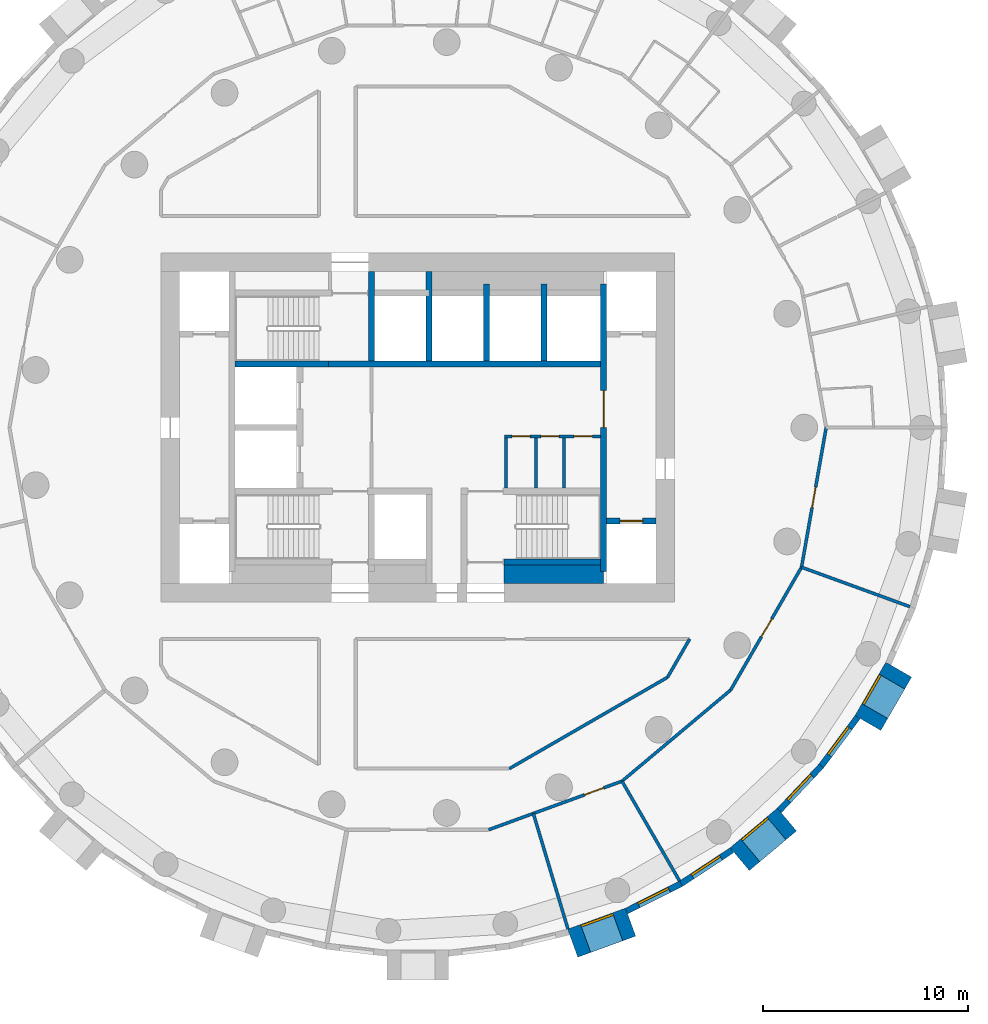
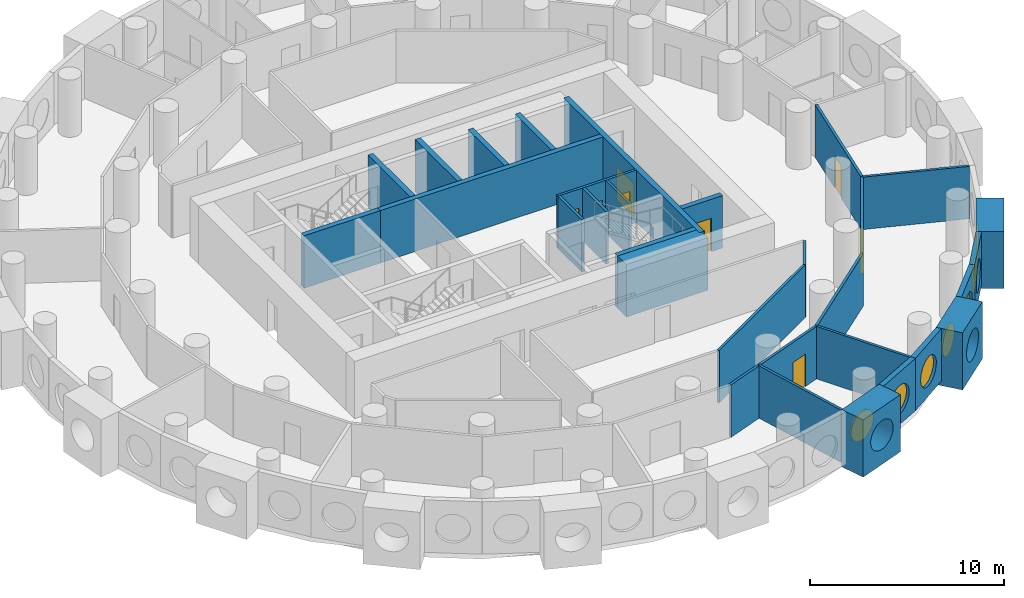
# One storey, part 4 of 9: 30 walls, 8 doors, 7 windows, 15 openings.
"""IFC4 building model written with IfcOpenShell, lengths in metres."""

from ifc_helpers import new_model, si_unit, direction, frame, frame_2d, origin, origin_2d, place, context, subcontext, project, spatial, rectangle, circle, extrude, material, layer, layer_set, type_object, element, fill, save


model = new_model("IFC4")

# Units and contexts
model_context = context("Model", 3, precision=1e-05, world=origin(), true_north=direction((0.0, 1.0)))
body_context = subcontext(model_context, "Body", "Model", "MODEL_VIEW")
ifc_project = project(units=[si_unit("LENGTHUNIT", "METRE"), si_unit("AREAUNIT", "SQUARE_METRE"), si_unit("VOLUMEUNIT", "CUBIC_METRE"), si_unit("PLANEANGLEUNIT", "RADIAN"), si_unit("MASSUNIT", "GRAM", prefix="KILO")], contexts=[model_context])

# Site, building, storey
site_placement = place(None, origin())
site = spatial("IfcSite", under=ifc_project, at=site_placement, CompositionType="ELEMENT")
building_placement = place(site_placement, origin())
building = spatial("IfcBuilding", under=site, at=building_placement, Name="Tracery Tower", CompositionType="ELEMENT")
storey_placement = place(building_placement, frame((0.0, 0.0, 165.60009765625)))
storey = spatial("IfcBuildingStorey", under=building, at=storey_placement, Name="L42", CompositionType="ELEMENT", Elevation=165.60009765625)

# Wall
ifc_material_1 = material(Name="Plasterboard on steel studs", Category="steel")
ifc_layer_1 = layer(ifc_material_1, 0.14990234375)
ifc_layer_set_1 = layer_set([ifc_layer_1], Name="Core room partition 150")
wall_type_1 = type_object("IfcWallType", Name="Core room partition 150", PredefinedType="SOLIDWALL", material=ifc_layer_set_1)
wall_1_placement = place(storey_placement, frame((4.300048828125, -2.949951171875, 0.0), z_axis=(0.0, 0.0, 1.0), x_axis=(0.0, 1.0, 0.0)))
element("IfcWall", 1, at=wall_1_placement, inside=storey, type_object=wall_type_1, Name="L42 slot W", PredefinedType="SOLIDWALL", context=body_context, shape_type="SweptSolid", body=[
    extrude(rectangle(XDim=2.449951171875, YDim=0.14990234375, at=frame_2d((1.22509765625, 0.0))), origin(), (0.0, 0.0, 1.0), 3.2998046875),
])

# Wall, openings, doors
wall_2_placement = place(storey_placement, frame((4.22509765625, -0.425048828125, 0.0), z_axis=(0.0, 0.0, 1.0), x_axis=(1.0, 0.0, 0.0)))
wall_2 = element("IfcWall", 2, at=wall_2_placement, inside=storey, type_object=wall_type_1, Name="L42 slot N", PredefinedType="SOLIDWALL", context=body_context, shape_type="SweptSolid", body=[
    extrude(rectangle(XDim=4.6748046875, YDim=0.14990234375, at=frame_2d((2.33740234375, 0.0))), origin(), (0.0, 0.0, 1.0), 3.2998046875),
])
opening_1_placement = place(wall_2_placement, frame((0.35009765625, 0.0, 0.0)))
opening_1 = element("IfcOpeningElement", 3, at=opening_1_placement, cuts=wall_2, Name="Opening KD27", PredefinedType="OPENING", context=body_context, shape_type="SweptSolid", body=[
    extrude(rectangle(XDim=0.89990234375, YDim=2.10009765625, at=frame_2d((0.449951171875, 1.050048828125))), frame((0.0, 0.074951171875, 0.0), z_axis=(0.0, -1.0, 0.0), x_axis=(1.0, 0.0, 0.0)), (0.0, 0.0, 1.0), 0.14990234375),
])
opening_2_placement = place(wall_2_placement, frame((1.762451171875, 0.0, 0.0)))
opening_2 = element("IfcOpeningElement", 4, at=opening_2_placement, cuts=wall_2, Name="Opening KD26", PredefinedType="OPENING", context=body_context, shape_type="SweptSolid", body=[
    extrude(rectangle(XDim=0.89990234375, YDim=2.10009765625, at=frame_2d((0.449951171875, 1.050048828125))), frame((0.0, 0.074951171875, 0.0), z_axis=(0.0, -1.0, 0.0), x_axis=(1.0, 0.0, 0.0)), (0.0, 0.0, 1.0), 0.14990234375),
])
opening_3_placement = place(wall_2_placement, frame((3.375, 0.0, 0.0)))
opening_3 = element("IfcOpeningElement", 5, at=opening_3_placement, cuts=wall_2, Name="Opening KD22", PredefinedType="OPENING", context=body_context, shape_type="SweptSolid", body=[
    extrude(rectangle(XDim=0.89990234375, YDim=2.10009765625, at=frame_2d((0.449951171875, 1.050048828125))), frame((0.0, 0.074951171875, 0.0), z_axis=(0.0, -1.0, 0.0), x_axis=(1.0, 0.0, 0.0)), (0.0, 0.0, 1.0), 0.14990234375),
])
ifc_material_2 = material(Name="Timber door leaf", Category="wood")
door_type_1 = type_object("IfcDoorType", Name="Core WC door 900", OperationType="NOTDEFINED", PredefinedType="DOOR", material=ifc_material_2)
door_1_placement = place(opening_3_placement, origin())
door_1 = element("IfcDoor", 6, at=door_1_placement, inside=storey, type_object=door_type_1, Name="Core door", OperationType="SINGLE_SWING_RIGHT", OverallHeight=2.10009765625, OverallWidth=0.89990234375, PredefinedType="DOOR", context=body_context, shape_type="SweptSolid", body=[
    extrude(rectangle(XDim=0.89990234375, YDim=2.10009765625, at=frame_2d((0.449951171875, 1.050048828125))), frame((0.0, 0.02490234375, 0.0), z_axis=(0.0, -1.0, 0.0), x_axis=(1.0, 0.0, 0.0)), (0.0, 0.0, 1.0), 0.050048828125),
])
fill(opening_3, door_1)
ifc_material_3 = material(Name="Timber door leaf", Category="wood")
door_type_2 = type_object("IfcDoorType", Name="Core store door 900", OperationType="NOTDEFINED", PredefinedType="DOOR", material=ifc_material_3)
door_2_placement = place(opening_1_placement, origin())
door_2 = element("IfcDoor", 7, at=door_2_placement, inside=storey, type_object=door_type_2, Name="Core door", OperationType="SINGLE_SWING_RIGHT", OverallHeight=2.10009765625, OverallWidth=0.89990234375, PredefinedType="DOOR", context=body_context, shape_type="SweptSolid", body=[
    extrude(rectangle(XDim=0.89990234375, YDim=2.10009765625, at=frame_2d((0.449951171875, 1.050048828125))), frame((0.0, 0.02490234375, 0.0), z_axis=(0.0, -1.0, 0.0), x_axis=(1.0, 0.0, 0.0)), (0.0, 0.0, 1.0), 0.050048828125),
])
fill(opening_1, door_2)
door_3_placement = place(opening_2_placement, origin())
door_3 = element("IfcDoor", 8, at=door_3_placement, inside=storey, type_object=door_type_2, Name="Core door", OperationType="SINGLE_SWING_LEFT", OverallHeight=2.10009765625, OverallWidth=0.89990234375, PredefinedType="DOOR", context=body_context, shape_type="SweptSolid", body=[
    extrude(rectangle(XDim=0.89990234375, YDim=2.10009765625, at=frame_2d((0.449951171875, 1.050048828125))), frame((0.0, 0.02490234375, 0.0), z_axis=(0.0, -1.0, 0.0), x_axis=(1.0, 0.0, 0.0)), (0.0, 0.0, 1.0), 0.050048828125),
])
fill(opening_2, door_3)

# Walls
for number, where, z_axis, x_axis, name in (
    (9, (5.75, -2.949951171875, 0.0), (0.0, 0.0, 1.0), (0.0, 1.0, 0.0), "L42 slot sep 1"),
    (10, (7.125, -2.949951171875, 0.0), (0.0, 0.0, 1.0), (0.0, 1.0, 0.0), "L42 slot sep 2"),
):
    element("IfcWall", number, at=place(storey_placement, frame(where, z_axis=z_axis, x_axis=x_axis)), inside=storey, type_object=wall_type_1, Name=name, PredefinedType="SOLIDWALL", context=body_context, shape_type="SweptSolid", body=[
        extrude(rectangle(XDim=2.449951171875, YDim=0.14990234375, at=frame_2d((1.22509765625, 0.0))), origin(), (0.0, 0.0, 1.0), 3.2998046875),
    ])
ifc_material_4 = material(Name="Concrete C50/60", Category="concrete")
ifc_layer_2 = layer(ifc_material_4, 0.89990234375)
ifc_layer_set_2 = layer_set([ifc_layer_2], Name="Core strip wall 900 C50")
wall_type_2 = type_object("IfcWallType", Name="Core strip wall 900 C50", PredefinedType="SOLIDWALL", material=ifc_layer_set_2)
wall_3_placement = place(storey_placement, frame((4.199951171875, -7.14990234375, 0.0), z_axis=(0.0, 0.0, 1.0), x_axis=(1.0, 0.0, 0.0)))
element("IfcWall", 11, at=wall_3_placement, inside=storey, type_object=wall_type_2, Name="L42 F thick S E", PredefinedType="SOLIDWALL", context=body_context, shape_type="SweptSolid", body=[
    extrude(rectangle(XDim=4.85009765625, YDim=0.89990234375, at=frame_2d((2.425048828125, 0.0))), origin(), (0.0, 0.0, 1.0), 3.2998046875),
])

# Wall, opening, window
ifc_material_5 = material(Name="Precast concrete C50/60", Category="concrete")
ifc_layer_3 = layer(ifc_material_5, 1.449951171875)
ifc_layer_set_3 = layer_set([ifc_layer_3], Name="Deep-set bay unit 3000 x 3600, slab edge 300")
wall_type_3 = type_object("IfcWallType", Name="Deep-set bay unit 3000 x 3600, slab edge 300", PredefinedType="ELEMENTEDWALL", material=ifc_layer_set_3)
wall_4_placement = place(storey_placement, frame((7.544189453125, -25.11328125, -0.300048828125), z_axis=(0.0, 0.0, 1.0), x_axis=(0.939686455819, 0.342037080957, 0.0)))
wall_4 = element("IfcWall", 12, at=wall_4_placement, inside=storey, type_object=wall_type_3, Name="Deep-set bay unit 44 at L42", PredefinedType="ELEMENTEDWALL", context=body_context, shape_type="SweptSolid", body=[
    extrude(rectangle(XDim=3.0, YDim=1.449951171875, at=frame_2d((1.5, 0.0))), origin(), (0.0, 0.0, 1.0), 3.599853515625),
])
opening_4_placement = place(wall_4_placement, frame((1.5, 0.0, 1.85009765625)))
opening_4 = element("IfcOpeningElement", 13, at=opening_4_placement, cuts=wall_4, Name="Opening WN1", PredefinedType="OPENING", context=body_context, shape_type="SweptSolid", body=[
    extrude(circle(Radius=0.9000244140625, at=origin_2d()), frame((0.0, 0.73486328125, 0.0), z_axis=(0.0, -1.0, 0.0), x_axis=(1.0, 0.0, 0.0)), (0.0, 0.0, 1.0), 1.469970703125),
])
ifc_material_6 = material(Name="Aluminium frame with tinted double glazing", Category="aluminium")
window_type = type_object("IfcWindowType", Name="Round window 1800", PartitioningType="SINGLE_PANEL", PredefinedType="WINDOW", material=ifc_material_6)
window_1_placement = place(opening_4_placement, origin())
window_1 = element("IfcWindow", 14, at=window_1_placement, inside=storey, type_object=window_type, Name="Round window 44 at L42", OverallHeight=1.800048828125, OverallWidth=1.800048828125, PartitioningType="SINGLE_PANEL", PredefinedType="WINDOW", context=body_context, shape_type="SweptSolid", body=[
    extrude(circle(Radius=0.9000244140625, at=origin_2d()), frame((0.0, 0.69482421875, 0.0), z_axis=(0.0, -1.0, 0.0), x_axis=(1.0, 0.0, 0.0)), (0.0, 0.0, 1.0), 0.10009765625),
])
fill(opening_4, window_1)

wall_5_placement = place(storey_placement, frame((15.678466796875, -21.0185546875, -0.300048828125), z_axis=(0.0, 0.0, 1.0), x_axis=(0.766022196139, 0.642814121673, 0.0)))
wall_5 = element("IfcWall", 15, at=wall_5_placement, inside=storey, type_object=wall_type_3, Name="Deep-set bay unit 47 at L42", PredefinedType="ELEMENTEDWALL", context=body_context, shape_type="SweptSolid", body=[
    extrude(rectangle(XDim=3.0, YDim=1.449951171875, at=frame_2d((1.5, 0.0))), origin(), (0.0, 0.0, 1.0), 3.599853515625),
])
opening_5_placement = place(wall_5_placement, frame((1.5, 0.0, 1.85009765625)))
opening_5 = element("IfcOpeningElement", 16, at=opening_5_placement, cuts=wall_5, Name="Opening WN1", PredefinedType="OPENING", context=body_context, shape_type="SweptSolid", body=[
    extrude(circle(Radius=0.9000244140625, at=origin_2d()), frame((0.0, 0.73486328125, 0.0), z_axis=(0.0, -1.0, 0.0), x_axis=(1.0, 0.0, 0.0)), (0.0, 0.0, 1.0), 1.469970703125),
])
window_2_placement = place(opening_5_placement, origin())
window_2 = element("IfcWindow", 17, at=window_2_placement, inside=storey, type_object=window_type, Name="Round window 47 at L42", OverallHeight=1.800048828125, OverallWidth=1.800048828125, PartitioningType="SINGLE_PANEL", PredefinedType="WINDOW", context=body_context, shape_type="SweptSolid", body=[
    extrude(circle(Radius=0.9000244140625, at=origin_2d()), frame((0.0, 0.69482421875, 0.0), z_axis=(0.0, -1.0, 0.0), x_axis=(1.0, 0.0, 0.0)), (0.0, 0.0, 1.0), 0.10009765625),
])
fill(opening_5, window_2)

wall_6_placement = place(storey_placement, frame((21.921630859375, -14.388671875, -0.300048828125), z_axis=(0.0, 0.0, 1.0), x_axis=(0.499990139034, 0.866031096941, 0.0)))
wall_6 = element("IfcWall", 18, at=wall_6_placement, inside=storey, type_object=wall_type_3, Name="Deep-set bay unit 50 at L42", PredefinedType="ELEMENTEDWALL", context=body_context, shape_type="SweptSolid", body=[
    extrude(rectangle(XDim=3.0, YDim=1.449951171875, at=frame_2d((1.5, 0.0))), origin(), (0.0, 0.0, 1.0), 3.599853515625),
])
opening_6_placement = place(wall_6_placement, frame((1.5, 0.0, 1.85009765625)))
opening_6 = element("IfcOpeningElement", 19, at=opening_6_placement, cuts=wall_6, Name="Opening WN1", PredefinedType="OPENING", context=body_context, shape_type="SweptSolid", body=[
    extrude(circle(Radius=0.9000244140625, at=origin_2d()), frame((0.0, 0.73486328125, 0.0), z_axis=(0.0, -1.0, 0.0), x_axis=(1.0, 0.0, 0.0)), (0.0, 0.0, 1.0), 1.469970703125),
])
window_3_placement = place(opening_6_placement, origin())
window_3 = element("IfcWindow", 20, at=window_3_placement, inside=storey, type_object=window_type, Name="Round window 50 at L42", OverallHeight=1.800048828125, OverallWidth=1.800048828125, PartitioningType="SINGLE_PANEL", PredefinedType="WINDOW", context=body_context, shape_type="SweptSolid", body=[
    extrude(circle(Radius=0.9000244140625, at=origin_2d()), frame((0.0, 0.69482421875, 0.0), z_axis=(0.0, -1.0, 0.0), x_axis=(1.0, 0.0, 0.0)), (0.0, 0.0, 1.0), 0.10009765625),
])
fill(opening_6, window_3)

ifc_material_7 = material(Name="Precast concrete C50/60", Category="concrete")
ifc_layer_4 = layer(ifc_material_7, 0.300048828125)
ifc_layer_set_4 = layer_set([ifc_layer_4], Name="Facade panel 3000 x 3300")
wall_type_4 = type_object("IfcWallType", Name="Facade panel 3000 x 3300", PredefinedType="SOLIDWALL", material=ifc_layer_set_4)
wall_7_placement = place(storey_placement, frame((10.1669921875, -23.545654296875, 0.0), z_axis=(0.0, 0.0, 1.0), x_axis=(0.893637442555, 0.448789618045, 0.0)))
wall_7 = element("IfcWall", 21, at=wall_7_placement, inside=storey, type_object=wall_type_4, Name="Facade panel 45 at L42", PredefinedType="SOLIDWALL", context=body_context, shape_type="SweptSolid", body=[
    extrude(rectangle(XDim=2.972900390625, YDim=0.300048828125, at=frame_2d((1.486328125, 0.0))), origin(), (0.0, 0.0, 1.0), 3.2998046875),
])
opening_7_placement = place(wall_7_placement, frame((1.486328125, 0.0, 1.5498046875)))
opening_7 = element("IfcOpeningElement", 22, at=opening_7_placement, cuts=wall_7, Name="Opening WN1", PredefinedType="OPENING", context=body_context, shape_type="SweptSolid", body=[
    extrude(circle(Radius=0.9000244140625, at=origin_2d()), frame((0.0, 0.159912109375, 0.0), z_axis=(0.0, -1.0, 0.0), x_axis=(1.0, 0.0, 0.0)), (0.0, 0.0, 1.0), 0.320068359375),
])
window_4_placement = place(opening_7_placement, origin())
window_4 = element("IfcWindow", 23, at=window_4_placement, inside=storey, type_object=window_type, Name="Round window 45 at L42", OverallHeight=1.800048828125, OverallWidth=1.800048828125, PartitioningType="SINGLE_PANEL", PredefinedType="WINDOW", context=body_context, shape_type="SweptSolid", body=[
    extrude(circle(Radius=0.9000244140625, at=origin_2d()), frame((0.0, 0.1201171875, 0.0), z_axis=(0.0, -1.0, 0.0), x_axis=(1.0, 0.0, 0.0)), (0.0, 0.0, 1.0), 0.10009765625),
])
fill(opening_7, window_4)

wall_8_placement = place(storey_placement, frame((12.82373046875, -22.21142578125, 0.0), z_axis=(0.0, 0.0, 1.0), x_axis=(0.835470659512, 0.549535055382, 0.0)))
wall_8 = element("IfcWall", 24, at=wall_8_placement, inside=storey, type_object=wall_type_4, Name="Facade panel 46 at L42", PredefinedType="SOLIDWALL", context=body_context, shape_type="SweptSolid", body=[
    extrude(rectangle(XDim=2.97314453125, YDim=0.300048828125, at=frame_2d((1.486572265625, 0.0))), origin(), (0.0, 0.0, 1.0), 3.2998046875),
])
opening_8_placement = place(wall_8_placement, frame((1.486328125, 0.0, 1.5498046875)))
opening_8 = element("IfcOpeningElement", 25, at=opening_8_placement, cuts=wall_8, Name="Opening WN1", PredefinedType="OPENING", context=body_context, shape_type="SweptSolid", body=[
    extrude(circle(Radius=0.9000244140625, at=origin_2d()), frame((0.0, 0.159912109375, 0.0), z_axis=(0.0, -1.0, 0.0), x_axis=(1.0, 0.0, 0.0)), (0.0, 0.0, 1.0), 0.320068359375),
])
window_5_placement = place(opening_8_placement, origin())
window_5 = element("IfcWindow", 26, at=window_5_placement, inside=storey, type_object=window_type, Name="Round window 46 at L42", OverallHeight=1.800048828125, OverallWidth=1.800048828125, PartitioningType="SINGLE_PANEL", PredefinedType="WINDOW", context=body_context, shape_type="SweptSolid", body=[
    extrude(circle(Radius=0.9000244140625, at=origin_2d()), frame((0.0, 0.1201171875, 0.0), z_axis=(0.0, -1.0, 0.0), x_axis=(1.0, 0.0, 0.0)), (0.0, 0.0, 1.0), 0.10009765625),
])
fill(opening_8, window_5)

wall_9_placement = place(storey_placement, frame((17.60693359375, -18.648193359375, 0.0), z_axis=(0.0, 0.0, 1.0), x_axis=(0.686235184166, 0.727379730273, 0.0)))
wall_9 = element("IfcWall", 27, at=wall_9_placement, inside=storey, type_object=wall_type_4, Name="Facade panel 48 at L42", PredefinedType="SOLIDWALL", context=body_context, shape_type="SweptSolid", body=[
    extrude(rectangle(XDim=2.972900390625, YDim=0.300048828125, at=frame_2d((1.486328125, 0.0))), origin(), (0.0, 0.0, 1.0), 3.2998046875),
])
opening_9_placement = place(wall_9_placement, frame((1.486328125, 0.0, 1.5498046875)))
opening_9 = element("IfcOpeningElement", 28, at=opening_9_placement, cuts=wall_9, Name="Opening WN1", PredefinedType="OPENING", context=body_context, shape_type="SweptSolid", body=[
    extrude(circle(Radius=0.9000244140625, at=origin_2d()), frame((0.0, 0.159912109375, 0.0), z_axis=(0.0, -1.0, 0.0), x_axis=(1.0, 0.0, 0.0)), (0.0, 0.0, 1.0), 0.320068359375),
])
window_6_placement = place(opening_9_placement, origin())
window_6 = element("IfcWindow", 29, at=window_6_placement, inside=storey, type_object=window_type, Name="Round window 48 at L42", OverallHeight=1.800048828125, OverallWidth=1.800048828125, PartitioningType="SINGLE_PANEL", PredefinedType="WINDOW", context=body_context, shape_type="SweptSolid", body=[
    extrude(circle(Radius=0.9000244140625, at=origin_2d()), frame((0.0, 0.1201171875, 0.0), z_axis=(0.0, -1.0, 0.0), x_axis=(1.0, 0.0, 0.0)), (0.0, 0.0, 1.0), 0.10009765625),
])
fill(opening_9, window_6)

wall_10_placement = place(storey_placement, frame((19.64697265625, -16.48583984375, 0.0), z_axis=(0.0, 0.0, 1.0), x_axis=(0.597197580538, 0.80209416517, 0.0)))
wall_10 = element("IfcWall", 30, at=wall_10_placement, inside=storey, type_object=wall_type_4, Name="Facade panel 49 at L42", PredefinedType="SOLIDWALL", context=body_context, shape_type="SweptSolid", body=[
    extrude(rectangle(XDim=2.972900390625, YDim=0.300048828125, at=frame_2d((1.486328125, 0.0))), origin(), (0.0, 0.0, 1.0), 3.2998046875),
])
opening_10_placement = place(wall_10_placement, frame((1.486328125, 0.0, 1.5498046875)))
opening_10 = element("IfcOpeningElement", 31, at=opening_10_placement, cuts=wall_10, Name="Opening WN1", PredefinedType="OPENING", context=body_context, shape_type="SweptSolid", body=[
    extrude(circle(Radius=0.9000244140625, at=origin_2d()), frame((0.0, 0.159912109375, 0.0), z_axis=(0.0, -1.0, 0.0), x_axis=(1.0, 0.0, 0.0)), (0.0, 0.0, 1.0), 0.320068359375),
])
window_7_placement = place(opening_10_placement, origin())
window_7 = element("IfcWindow", 32, at=window_7_placement, inside=storey, type_object=window_type, Name="Round window 49 at L42", OverallHeight=1.800048828125, OverallWidth=1.800048828125, PartitioningType="SINGLE_PANEL", PredefinedType="WINDOW", context=body_context, shape_type="SweptSolid", body=[
    extrude(circle(Radius=0.9000244140625, at=origin_2d()), frame((0.0, 0.1201171875, 0.0), z_axis=(0.0, -1.0, 0.0), x_axis=(1.0, 0.0, 0.0)), (0.0, 0.0, 1.0), 0.10009765625),
])
fill(opening_10, window_7)

# Walls
ifc_material_8 = material(Name="Plasterboard on steel studs", Category="steel")
ifc_layer_5 = layer(ifc_material_8, 0.14990234375)
ifc_layer_set_5 = layer_set([ifc_layer_5], Name="Partition 150 acoustic unit wall")
wall_type_5 = type_object("IfcWallType", Name="Partition 150 acoustic unit wall", PredefinedType="PARTITIONING", material=ifc_layer_set_5)
wall_11_placement = place(storey_placement, frame((5.626953125, -18.794921875, 0.0), z_axis=(0.0, 0.0, 1.0), x_axis=(0.286833432865, -0.957980470464, 0.0)))
element("IfcWall", 33, at=wall_11_placement, inside=storey, type_object=wall_type_5, Name="Unit wall RB4-073", PredefinedType="PARTITIONING", context=body_context, shape_type="SweptSolid", body=[
    extrude(rectangle(XDim=5.878173828125, YDim=0.14990234375, at=frame_2d((2.93896484375, 0.0))), origin(), (0.0, 0.0, 1.0), 3.2998046875),
])
wall_12_placement = place(storey_placement, frame((9.944091796875, -17.222900390625, 0.0), z_axis=(0.0, 0.0, 1.0), x_axis=(0.500010020406, -0.866019618423, 0.0)))
element("IfcWall", 34, at=wall_12_placement, inside=storey, type_object=wall_type_5, Name="Unit wall RB4-074", PredefinedType="PARTITIONING", context=body_context, shape_type="SweptSolid", body=[
    extrude(rectangle(XDim=5.60986328125, YDim=0.14990234375, at=frame_2d((2.804931640625, 0.0))), origin(), (0.0, 0.0, 1.0), 3.2998046875),
])
wall_13_placement = place(storey_placement, frame((18.68798828125, -6.802001953125, 0.0), z_axis=(0.0, 0.0, 1.0), x_axis=(0.939686652043, -0.342036541866, 0.0)))
element("IfcWall", 35, at=wall_13_placement, inside=storey, type_object=wall_type_5, Name="Unit wall RB4-075", PredefinedType="PARTITIONING", context=body_context, shape_type="SweptSolid", body=[
    extrude(rectangle(XDim=5.6103515625, YDim=0.14990234375, at=frame_2d((2.80517578125, 0.0))), origin(), (0.0, 0.0, 1.0), 3.2998046875),
])
ifc_material_9 = material(Name="Plasterboard on steel studs", Category="steel")
ifc_layer_6 = layer(ifc_material_9, 0.14990234375)
ifc_layer_set_6 = layer_set([ifc_layer_6], Name="Partition 150 corridor wall")
wall_type_6 = type_object("IfcWallType", Name="Partition 150 corridor wall", PredefinedType="PARTITIONING", material=ifc_layer_set_6)
wall_14_placement = place(storey_placement, frame((12.162109375, -12.162109375, 0.0), z_axis=(0.0, 0.0, 1.0), x_axis=(0.499961633463, 0.866047553582, 0.0)))
element("IfcWall", 36, at=wall_14_placement, inside=storey, type_object=wall_type_6, Name="Corridor wall RB4-006", PredefinedType="PARTITIONING", context=body_context, shape_type="SweptSolid", body=[
    extrude(rectangle(XDim=2.150146484375, YDim=0.14990234375, at=frame_2d((1.0751953125, 0.0))), origin(), (0.0, 0.0, 1.0), 3.2998046875),
])

# Wall, opening, door
wall_15_placement = place(storey_placement, frame((15.235107421875, -12.783935546875, 0.0), z_axis=(0.0, 0.0, 1.0), x_axis=(0.499914202267, 0.866074933462, 0.0)))
wall_15 = element("IfcWall", 37, at=wall_15_placement, inside=storey, type_object=wall_type_6, Name="Corridor wall RB4-010", PredefinedType="PARTITIONING", context=body_context, shape_type="SweptSolid", body=[
    extrude(rectangle(XDim=6.906982421875, YDim=0.14990234375, at=frame_2d((3.45361328125, 0.0))), origin(), (0.0, 0.0, 1.0), 3.2998046875),
])
opening_11_placement = place(wall_15_placement, frame((3.003173828125, 0.0, 0.0)))
opening_11 = element("IfcOpeningElement", 38, at=opening_11_placement, cuts=wall_15, Name="Opening RB4-28", PredefinedType="OPENING", context=body_context, shape_type="SweptSolid", body=[
    extrude(rectangle(XDim=1.0, YDim=2.0400390625, at=frame_2d((0.5, 1.02001953125))), frame((0.0, 0.074951171875, 0.0), z_axis=(0.0, -1.0, 0.0), x_axis=(1.0, 0.0, 0.0)), (0.0, 0.0, 1.0), 0.14990234375),
])
ifc_material_10 = material(Name="Timber door leaf", Category="wood")
door_type_3 = type_object("IfcDoorType", Name="Door communal room 1000", OperationType="NOTDEFINED", PredefinedType="DOOR", material=ifc_material_10)
door_4_placement = place(opening_11_placement, origin())
door_4 = element("IfcDoor", 39, at=door_4_placement, inside=storey, type_object=door_type_3, Name="Communal room door RB4-28", OperationType="SINGLE_SWING_LEFT", OverallHeight=2.0400390625, OverallWidth=1.0, PredefinedType="DOOR", context=body_context, shape_type="SweptSolid", body=[
    extrude(rectangle(XDim=1.0, YDim=2.0400390625, at=frame_2d((0.5, 1.02001953125))), frame((0.0, 0.02490234375, 0.0), z_axis=(0.0, -1.0, 0.0), x_axis=(1.0, 0.0, 0.0)), (0.0, 0.0, 1.0), 0.050048828125),
])
fill(opening_11, door_4)

# Wall
wall_16_placement = place(storey_placement, frame((9.943359375, -17.22216796875, 0.0), z_axis=(0.0, 0.0, 1.0), x_axis=(0.766192104565, 0.642611592567, 0.0)))
element("IfcWall", 40, at=wall_16_placement, inside=storey, type_object=wall_type_6, Name="Corridor wall RB4-011", PredefinedType="PARTITIONING", context=body_context, shape_type="SweptSolid", body=[
    extrude(rectangle(XDim=6.906494140625, YDim=0.14990234375, at=frame_2d((3.453125, 0.0))), origin(), (0.0, 0.0, 1.0), 3.2998046875),
])

# Wall, opening, door
wall_17_placement = place(storey_placement, frame((18.68798828125, -6.802001953125, 0.0), z_axis=(0.0, 0.0, 1.0), x_axis=(0.173728873845, 0.98479352069, 0.0)))
wall_17 = element("IfcWall", 41, at=wall_17_placement, inside=storey, type_object=wall_type_6, Name="Corridor wall RB4-012", PredefinedType="PARTITIONING", context=body_context, shape_type="SweptSolid", body=[
    extrude(rectangle(XDim=6.906982421875, YDim=0.14990234375, at=frame_2d((3.45361328125, 0.0))), origin(), (0.0, 0.0, 1.0), 3.2998046875),
])
opening_12_placement = place(wall_17_placement, frame((2.952880859375, 0.0, 0.0)))
opening_12 = element("IfcOpeningElement", 42, at=opening_12_placement, cuts=wall_17, Name="Opening RB4-29", PredefinedType="OPENING", context=body_context, shape_type="SweptSolid", body=[
    extrude(rectangle(XDim=1.0, YDim=2.0400390625, at=frame_2d((0.5, 1.02001953125))), frame((0.0, 0.074951171875, 0.0), z_axis=(0.0, -1.0, 0.0), x_axis=(1.0, 0.0, 0.0)), (0.0, 0.0, 1.0), 0.14990234375),
])
door_5_placement = place(opening_12_placement, origin())
door_5 = element("IfcDoor", 43, at=door_5_placement, inside=storey, type_object=door_type_3, Name="Communal room door RB4-29", OperationType="SINGLE_SWING_RIGHT", OverallHeight=2.0400390625, OverallWidth=1.0, PredefinedType="DOOR", context=body_context, shape_type="SweptSolid", body=[
    extrude(rectangle(XDim=1.0, YDim=2.0400390625, at=frame_2d((0.5, 1.02001953125))), frame((0.0, 0.02490234375, 0.0), z_axis=(0.0, -1.0, 0.0), x_axis=(1.0, 0.0, 0.0)), (0.0, 0.0, 1.0), 0.050048828125),
])
fill(opening_12, door_5)

# Wall
wall_18_placement = place(storey_placement, frame((4.451904296875, -16.614013671875, 0.0), z_axis=(0.0, 0.0, 1.0), x_axis=(0.866005203721, 0.500034985904, 0.0)))
element("IfcWall", 44, at=wall_18_placement, inside=storey, type_object=wall_type_6, Name="Corridor wall RB4-035", PredefinedType="PARTITIONING", context=body_context, shape_type="SweptSolid", body=[
    extrude(rectangle(XDim=8.903076171875, YDim=0.14990234375, at=frame_2d((4.45166015625, 0.0))), origin(), (0.0, 0.0, 1.0), 3.2998046875),
])

# Wall, opening, door
wall_19_placement = place(storey_placement, frame((3.452880859375, -19.5859375, 0.0), z_axis=(0.0, 0.0, 1.0), x_axis=(0.939607544688, 0.342253797591, 0.0)))
wall_19 = element("IfcWall", 45, at=wall_19_placement, inside=storey, type_object=wall_type_6, Name="Corridor wall RB4-037", PredefinedType="PARTITIONING", context=body_context, shape_type="SweptSolid", body=[
    extrude(rectangle(XDim=6.907958984375, YDim=0.14990234375, at=frame_2d((3.4541015625, 0.0))), origin(), (0.0, 0.0, 1.0), 3.2998046875),
])
opening_13_placement = place(wall_19_placement, frame((4.958740234375, 0.0, 0.0)))
opening_13 = element("IfcOpeningElement", 46, at=opening_13_placement, cuts=wall_19, Name="Opening RB4-27", PredefinedType="OPENING", context=body_context, shape_type="SweptSolid", body=[
    extrude(rectangle(XDim=1.0, YDim=2.0400390625, at=frame_2d((0.5, 1.02001953125))), frame((0.0, 0.074951171875, 0.0), z_axis=(0.0, -1.0, 0.0), x_axis=(1.0, 0.0, 0.0)), (0.0, 0.0, 1.0), 0.14990234375),
])
door_6_placement = place(opening_13_placement, origin())
door_6 = element("IfcDoor", 47, at=door_6_placement, inside=storey, type_object=door_type_3, Name="Communal room door RB4-27", OperationType="SINGLE_SWING_LEFT", OverallHeight=2.0400390625, OverallWidth=1.0, PredefinedType="DOOR", context=body_context, shape_type="SweptSolid", body=[
    extrude(rectangle(XDim=1.0, YDim=2.0400390625, at=frame_2d((0.5, 1.02001953125))), frame((0.0, 0.02490234375, 0.0), z_axis=(0.0, -1.0, 0.0), x_axis=(1.0, 0.0, 0.0)), (0.0, 0.0, 1.0), 0.050048828125),
])
fill(opening_13, door_6)

# Walls
ifc_material_11 = material(Name="Concrete C50/60", Category="concrete")
ifc_layer_7 = layer(ifc_material_11, 0.300048828125)
ifc_layer_set_7 = layer_set([ifc_layer_7], Name="Shaft wall 300 C50")
wall_type_7 = type_object("IfcWallType", Name="Shaft wall 300 C50", PredefinedType="SOLIDWALL", material=ifc_layer_set_7)
wall_20_placement = place(storey_placement, frame((0.550048828125, 3.25, 0.0), z_axis=(0.0, 0.0, 1.0), x_axis=(0.0, 1.0, 0.0)))
element("IfcWall", 48, at=wall_20_placement, inside=storey, type_object=wall_type_7, Name="L42 HR sep 1", PredefinedType="SOLIDWALL", context=body_context, shape_type="SweptSolid", body=[
    extrude(rectangle(XDim=4.35009765625, YDim=0.300048828125, at=frame_2d((2.175048828125, 0.0))), origin(), (0.0, 0.0, 1.0), 3.2998046875),
])
for number, where, z_axis, x_axis, name in (
    (49, (3.35009765625, 3.25, 0.0), (0.0, 0.0, 1.0), (0.0, 1.0, 0.0), "L42 HR sep 2"),
    (50, (6.14990234375, 3.25, 0.0), (0.0, 0.0, 1.0), (0.0, 1.0, 0.0), "L42 HR sep 3"),
):
    element("IfcWall", number, at=place(storey_placement, frame(where, z_axis=z_axis, x_axis=x_axis)), inside=storey, type_object=wall_type_7, Name=name, PredefinedType="SOLIDWALL", context=body_context, shape_type="SweptSolid", body=[
        extrude(rectangle(XDim=3.75, YDim=0.300048828125, at=frame_2d((1.875, 0.0))), origin(), (0.0, 0.0, 1.0), 3.2998046875),
    ])

# Wall, opening, door
wall_21_placement = place(storey_placement, frame((9.199951171875, -4.550048828125, 0.0), z_axis=(0.0, 0.0, 1.0), x_axis=(1.0, 0.0, 0.0)))
wall_21 = element("IfcWall", 51, at=wall_21_placement, inside=storey, type_object=wall_type_7, Name="L42 MR E -4.55", PredefinedType="SOLIDWALL", context=body_context, shape_type="SweptSolid", body=[
    extrude(rectangle(XDim=2.400146484375, YDim=0.300048828125, at=frame_2d((1.2001953125, 0.0))), origin(), (0.0, 0.0, 1.0), 3.2998046875),
])
opening_14_placement = place(wall_21_placement, frame((0.64990234375, 0.0, 0.0)))
opening_14 = element("IfcOpeningElement", 52, at=opening_14_placement, cuts=wall_21, Name="Opening KD50", PredefinedType="OPENING", context=body_context, shape_type="SweptSolid", body=[
    extrude(rectangle(XDim=1.10009765625, YDim=2.10009765625, at=frame_2d((0.550048828125, 1.050048828125))), frame((0.0, 0.14990234375, 0.0), z_axis=(0.0, -1.0, 0.0), x_axis=(1.0, 0.0, 0.0)), (0.0, 0.0, 1.0), 0.300048828125),
])
ifc_material_12 = material(Name="Steel fire door", Category="steel")
door_type_4 = type_object("IfcDoorType", Name="Landing door 1100", OperationType="NOTDEFINED", PredefinedType="DOOR", material=ifc_material_12)
door_7_placement = place(opening_14_placement, origin())
door_7 = element("IfcDoor", 53, at=door_7_placement, inside=storey, type_object=door_type_4, Name="Landing door MR3", OperationType="SLIDING_TO_RIGHT", OverallHeight=2.10009765625, OverallWidth=1.10009765625, PredefinedType="DOOR", context=body_context, shape_type="SweptSolid", body=[
    extrude(rectangle(XDim=1.10009765625, YDim=2.10009765625, at=frame_2d((0.550048828125, 1.050048828125))), frame((0.0, 0.02490234375, 0.0), z_axis=(0.0, -1.0, 0.0), x_axis=(1.0, 0.0, 0.0)), (0.0, 0.0, 1.0), 0.050048828125),
])
fill(opening_14, door_7)

# Walls
ifc_material_13 = material(Name="Concrete C50/60", Category="concrete")
ifc_layer_8 = layer(ifc_material_13, 0.300048828125)
ifc_layer_set_8 = layer_set([ifc_layer_8], Name="Stair wall 300 C50")
wall_type_8 = type_object("IfcWallType", Name="Stair wall 300 C50", PredefinedType="SOLIDWALL", material=ifc_layer_set_8)
wall_22_placement = place(storey_placement, frame((-8.89990234375, 3.10009765625, 0.0), z_axis=(0.0, 0.0, 1.0), x_axis=(1.0, 0.0, 0.0)))
element("IfcWall", 54, at=wall_22_placement, inside=storey, type_object=wall_type_8, Name="L42 row N W", PredefinedType="SOLIDWALL", context=body_context, shape_type="SweptSolid", body=[
    extrude(rectangle(XDim=4.5498046875, YDim=0.300048828125, at=frame_2d((2.27490234375, 0.0))), origin(), (0.0, 0.0, 1.0), 3.2998046875),
])
wall_23_placement = place(storey_placement, frame((-4.35009765625, 3.10009765625, 0.0), z_axis=(0.0, 0.0, 1.0), x_axis=(1.0, 0.0, 0.0)))
element("IfcWall", 55, at=wall_23_placement, inside=storey, type_object=wall_type_8, Name="L42 row N", PredefinedType="SOLIDWALL", context=body_context, shape_type="SweptSolid", body=[
    extrude(rectangle(XDim=13.25, YDim=0.300048828125, at=frame_2d((6.625, 0.0))), origin(), (0.0, 0.0, 1.0), 3.2998046875),
])
wall_24_placement = place(storey_placement, frame((-2.25, 3.25, 0.0), z_axis=(0.0, 0.0, 1.0), x_axis=(0.0, 1.0, 0.0)))
element("IfcWall", 56, at=wall_24_placement, inside=storey, type_object=wall_type_8, Name="L42 ST3 E", PredefinedType="SOLIDWALL", context=body_context, shape_type="SweptSolid", body=[
    extrude(rectangle(XDim=4.35009765625, YDim=0.300048828125, at=frame_2d((2.175048828125, 0.0))), origin(), (0.0, 0.0, 1.0), 3.2998046875),
])

# Wall, opening, door
wall_25_placement = place(storey_placement, frame((9.050048828125, -7.0, 0.0), z_axis=(0.0, 0.0, 1.0), x_axis=(0.0, 1.0, 0.0)))
wall_25 = element("IfcWall", 57, at=wall_25_placement, inside=storey, type_object=wall_type_8, Name="L42 F wall +9", PredefinedType="SOLIDWALL", context=body_context, shape_type="SweptSolid", body=[
    extrude(rectangle(XDim=14.0, YDim=0.300048828125, at=frame_2d((7.0, 0.0))), origin(), (0.0, 0.0, 1.0), 3.2998046875),
])
opening_15_placement = place(wall_25_placement, frame((7.0, 0.0, 0.0)))
opening_15 = element("IfcOpeningElement", 58, at=opening_15_placement, cuts=wall_25, Name="Opening KD13", PredefinedType="OPENING", context=body_context, shape_type="SweptSolid", body=[
    extrude(rectangle(XDim=1.800048828125, YDim=2.10009765625, at=frame_2d((0.89990234375, 1.050048828125))), frame((0.0, 0.14990234375, 0.0), z_axis=(0.0, -1.0, 0.0), x_axis=(1.0, 0.0, 0.0)), (0.0, 0.0, 1.0), 0.300048828125),
])
ifc_material_14 = material(Name="Steel fire door", Category="steel")
door_type_5 = type_object("IfcDoorType", Name="Core exit door 1800 double", OperationType="NOTDEFINED", PredefinedType="DOOR", material=ifc_material_14)
door_8_placement = place(opening_15_placement, origin())
door_8 = element("IfcDoor", 59, at=door_8_placement, inside=storey, type_object=door_type_5, Name="Core exit door", OperationType="DOUBLE_DOOR_SINGLE_SWING", OverallHeight=2.10009765625, OverallWidth=1.800048828125, PredefinedType="DOOR", context=body_context, shape_type="SweptSolid", body=[
    extrude(rectangle(XDim=1.800048828125, YDim=2.10009765625, at=frame_2d((0.89990234375, 1.050048828125))), frame((0.0, 0.02490234375, 0.0), z_axis=(0.0, -1.0, 0.0), x_axis=(1.0, 0.0, 0.0)), (0.0, 0.0, 1.0), 0.050048828125),
])
fill(opening_15, door_8)

# Wall
wall_26_placement = place(storey_placement, frame((4.199951171875, -6.550048828125, 0.0), z_axis=(0.0, 0.0, 1.0), x_axis=(1.0, 0.0, 0.0)))
element("IfcWall", 60, at=wall_26_placement, inside=storey, type_object=wall_type_8, Name="L42 F stair strip S E", PredefinedType="SOLIDWALL", context=body_context, shape_type="SweptSolid", body=[
    extrude(rectangle(XDim=4.699951171875, YDim=0.300048828125, at=frame_2d((2.35009765625, 0.0))), origin(), (0.0, 0.0, 1.0), 3.2998046875),
])

save(model, "model.ifc")
